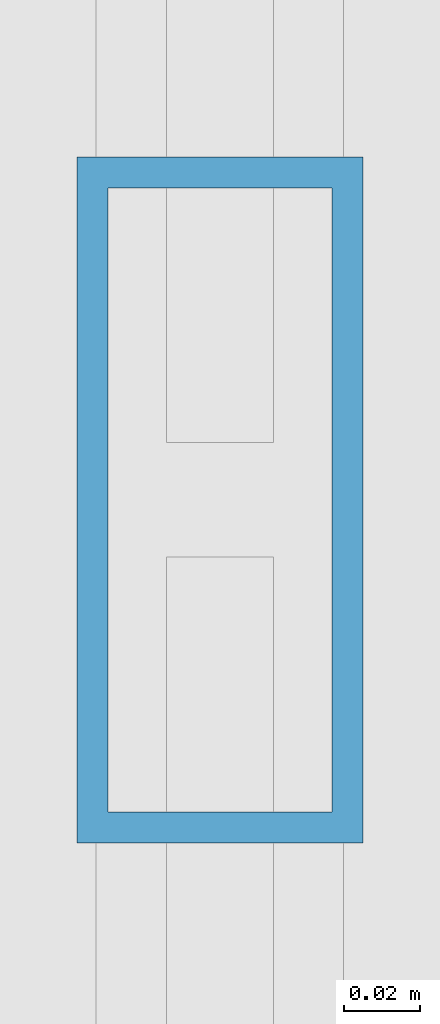
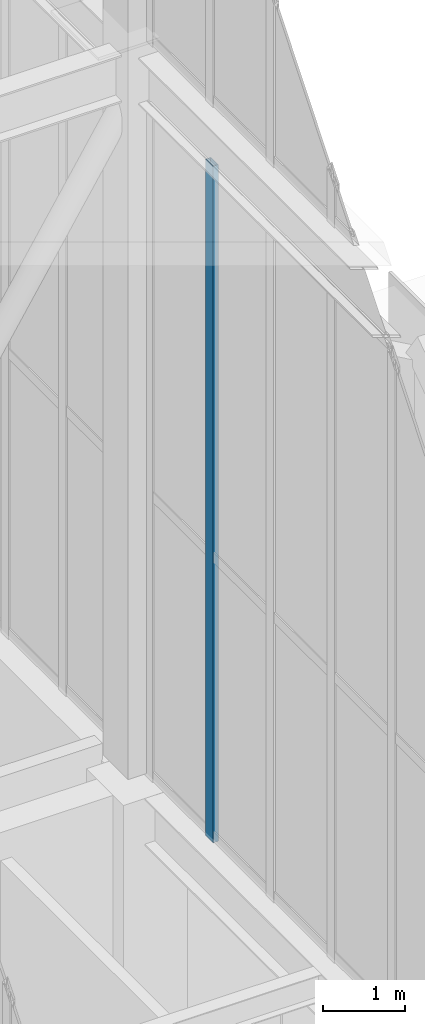
# One storey, part 81 of 135: 1 member, 1 element without a shape of its own.
"""IFC4 building model written with IfcOpenShell, lengths in metres."""

from ifc_helpers import new_model, si_unit, direction, frame, origin, origin_2d, place, context, subcontext, project, spatial, hollow_rectangle, extrude, source, transform, mapped, material, layer, layer_set, material_profile, profile_set, type_object, element, aggregate, save


model = new_model("IFC4")

# Units and contexts
model_context = context("Model", 3, precision=1e-05, world=origin(), true_north=direction((0.0, 1.0)))
body_context = subcontext(model_context, "Body", "Model", "MODEL_VIEW")
ifc_project = project(units=[si_unit("LENGTHUNIT", "METRE"), si_unit("AREAUNIT", "SQUARE_METRE"), si_unit("VOLUMEUNIT", "CUBIC_METRE"), si_unit("PLANEANGLEUNIT", "RADIAN"), si_unit("MASSUNIT", "GRAM", prefix="KILO")], contexts=[model_context])

# Site, building, storey
site_placement = place(None, origin())
site = spatial("IfcSite", under=ifc_project, at=site_placement, CompositionType="ELEMENT")
building_placement = place(site_placement, origin())
building = spatial("IfcBuilding", under=site, at=building_placement, Name="Giltprow Tower", CompositionType="ELEMENT")
storey_placement = place(building_placement, frame((0.0, 0.0, 352.699951171875)))
storey = spatial("IfcBuildingStorey", under=building, at=storey_placement, Name="L92", CompositionType="ELEMENT", Elevation=352.699951171875)

# Curtain wall, member
ifc_material = material(Name="Anodized bronze", Category="metal")
ifc_layer = layer(ifc_material, 0.179931640625, Name="Anodized bronze")
ifc_layer_set = layer_set([ifc_layer], Name="Anodized bronze")
curtain_wall_type = type_object("IfcCurtainWallType", Name="CW-CROWN-LANTERN", PredefinedType="NOTDEFINED", material=ifc_layer_set)
curtain_wall_placement = place(storey_placement, origin())
curtain_wall = element("IfcCurtainWall", 1, at=curtain_wall_placement, inside=storey, type_object=curtain_wall_type, Name="Crown East Lower Lantern Glazing 2", PredefinedType="NOTDEFINED")
ifc_material_profile = material_profile(ifc_material, hollow_rectangle(XDim=0.074951171875, YDim=0.179931640625, WallThickness=0.008056640625, at=origin_2d()), Name="RHS 180x75x8")
ifc_profile_set = profile_set([ifc_material_profile], Name="Anodized bronze")
member_type = type_object("IfcMemberType", Name="CW-MULLION-180x75", PredefinedType="MULLION", material=ifc_profile_set)
shared_shape = source(origin(), body_context, "Body", "SweptSolid", [
    extrude(hollow_rectangle(XDim=0.074951171875, YDim=0.179931640625, WallThickness=0.008056640625, at=origin_2d()), origin(), (0.0, 0.0, 1.0), 10.030029296875),
])
member_placement = place(storey_placement, frame((50.550048828125, 35.6279296875, 6.35009765625), z_axis=(0.0, 0.0, 1.0), x_axis=(1.0, 0.0, 0.0)))
member = element("IfcMember", 2, at=member_placement, type_object=member_type, Name="Crown East Lower Lantern Glazing 2 Mullion 9", PredefinedType="MULLION", context=body_context, shape_type="MappedRepresentation", body=[
    mapped(shared_shape, transform((0.0, 0.0, 0.0), x_axis=(1.0, 0.0, 0.0), y_axis=(0.0, 1.0, 0.0), z_axis=(0.0, 0.0, 1.0), scale=1.0)),
])
aggregate(curtain_wall, [member])

save(model, "model.ifc")
